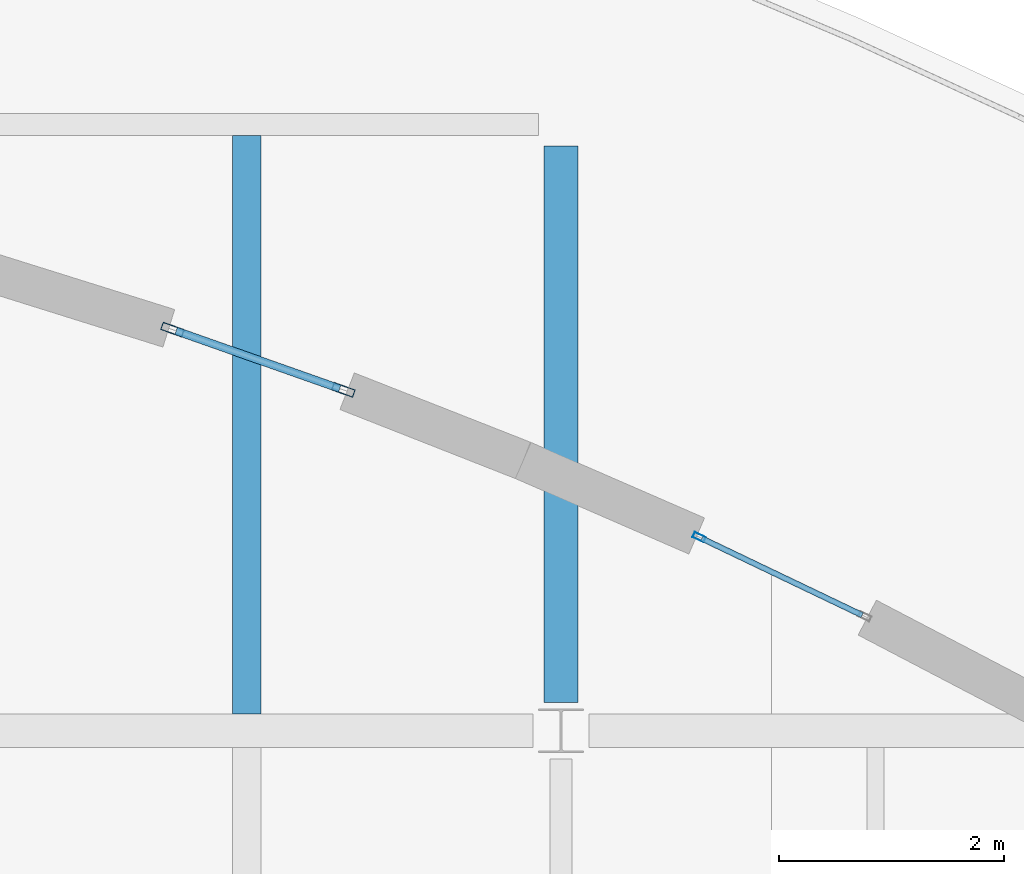
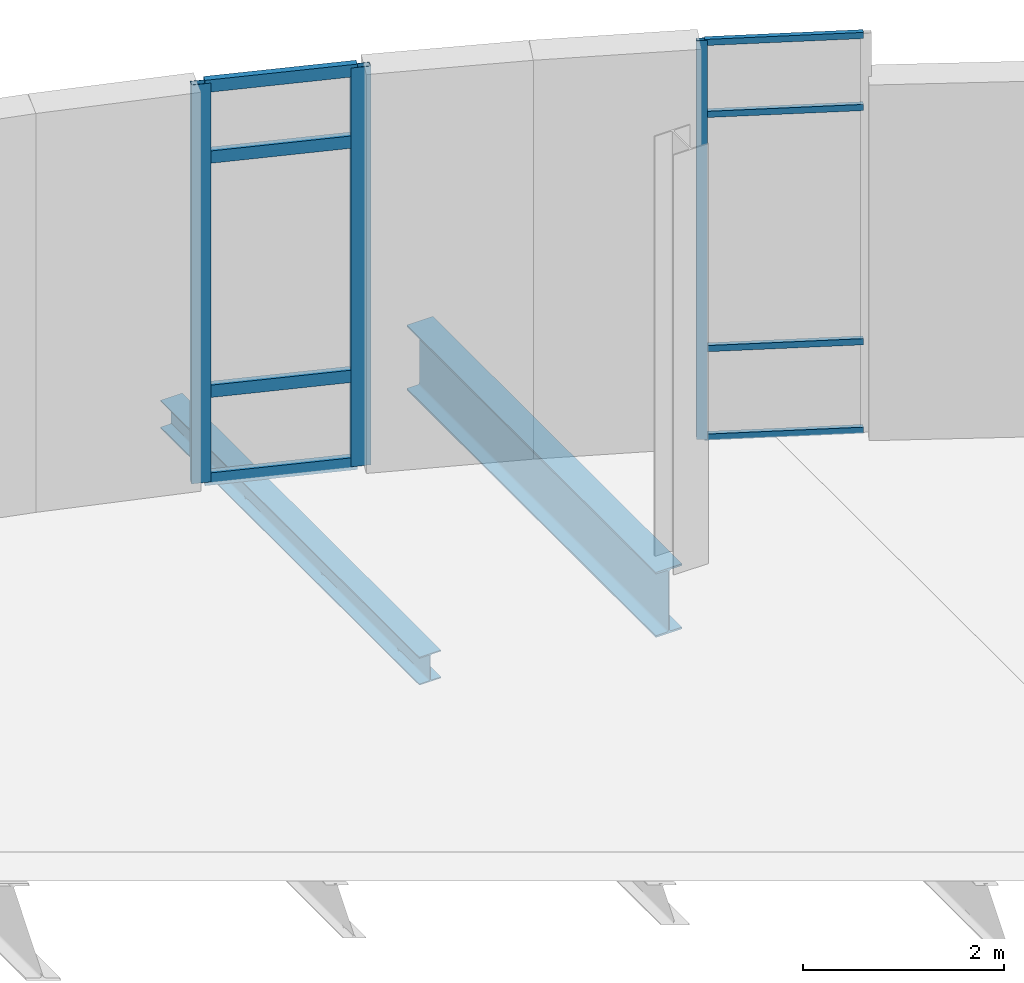
# One storey, part 34 of 103: 11 members, 2 beams, 2 elements without a shape of their own.
"""IFC4 building model written with IfcOpenShell, lengths in metres."""

from ifc_helpers import new_model, si_unit, direction, frame, origin, origin_2d, place, context, subcontext, project, spatial, hollow_rectangle, i_section, extrude, material, layer, layer_set, material_profile, profile_set, type_object, element, aggregate, save


model = new_model("IFC4")

# Units and contexts
model_context = context("Model", 3, precision=1e-05, world=origin(), true_north=direction((0.0, 1.0)))
body_context = subcontext(model_context, "Body", "Model", "MODEL_VIEW")
ifc_project = project(units=[si_unit("LENGTHUNIT", "METRE"), si_unit("AREAUNIT", "SQUARE_METRE"), si_unit("VOLUMEUNIT", "CUBIC_METRE"), si_unit("PLANEANGLEUNIT", "RADIAN"), si_unit("MASSUNIT", "GRAM", prefix="KILO"), si_unit("THERMODYNAMICTEMPERATUREUNIT", "KELVIN")], contexts=[model_context])

# Site, building, storey
site_placement = place(None, origin())
site = spatial("IfcSite", under=ifc_project, at=site_placement, CompositionType="ELEMENT")
building_placement = place(site_placement, origin())
building = spatial("IfcBuilding", under=site, at=building_placement, Name="Lustrewick Department Store", CompositionType="ELEMENT")
storey_placement = place(building_placement, frame((0.0, 0.0, 16.5)))
storey = spatial("IfcBuildingStorey", under=building, at=storey_placement, Name="L04", CompositionType="ELEMENT", Elevation=16.5)

# Beam
ifc_material_1 = material(Name="Structural steel Q355B", Category="steel")
ifc_material_profile_1 = material_profile(ifc_material_1, i_section(OverallWidth=0.25, OverallDepth=0.340087890625, WebThickness=0.009033203125, FlangeThickness=0.013916015625, FilletRadius=0.01611328125, at=origin_2d()), Name="HM 340x250x9x14")
ifc_profile_set_1 = profile_set([ifc_material_profile_1], Name="Structural steel Q355B")
beam_type_1 = type_object("IfcBeamType", Name="B08", PredefinedType="JOIST", material=ifc_profile_set_1)
beam_1_placement = place(storey_placement, frame((131.60009765625, 100.950927734375, -0.425048828125), z_axis=(0.0, 1.0, 0.0), x_axis=(-1.0, 0.0, 0.0)))
element("IfcBeam", 1, at=beam_1_placement, inside=storey, type_object=beam_type_1, Name="L04 V4 Secondary Joist B08", PredefinedType="JOIST", context=body_context, shape_type="SweptSolid", body=[
    extrude(i_section(OverallWidth=0.25, OverallDepth=0.340087890625, WebThickness=0.009033203125, FlangeThickness=0.013916015625, FilletRadius=0.01611328125, at=origin_2d()), origin(), (0.0, 0.0, 1.0), 5.149658203125),
])

# Curtain wall, members
ifc_material_2 = material(Name="Thermally broken aluminium 6063-T5", Category="aluminium")
ifc_layer_1 = layer(ifc_material_2, 0.110107421875, Name="Thermally broken aluminium 6063-T5")
ifc_layer_set_1 = layer_set([ifc_layer_1], Name="Thermally broken aluminium 6063-T5")
curtain_wall_type_1 = type_object("IfcCurtainWallType", Name="CW09", PredefinedType="NOTDEFINED", material=ifc_layer_set_1)
curtain_wall_1_placement = place(storey_placement, origin())
curtain_wall_1 = element("IfcCurtainWall", 2, at=curtain_wall_1_placement, inside=storey, type_object=curtain_wall_type_1, Name="L04 V4 Curtain Wall CW09", PredefinedType="NOTDEFINED")
ifc_material_profile_2 = material_profile(ifc_material_2, hollow_rectangle(XDim=0.050048828125, YDim=0.110107421875, WallThickness=0.0029296875, at=origin_2d()), Name="ALU-M 50x110x3")
ifc_profile_set_2 = profile_set([ifc_material_profile_2], Name="Thermally broken aluminium 6063-T5")
member_type_1 = type_object("IfcMemberType", Name="CW09-M1", PredefinedType="MULLION", material=ifc_profile_set_2)
member_1_placement = place(storey_placement, frame((135.630126953125, 102.52392578125, 0.0), z_axis=(0.0, 0.0, 1.0), x_axis=(-0.431596198189, -0.902066916425, 0.0)))
member_1 = element("IfcMember", 3, at=member_1_placement, type_object=member_type_1, Name="CW09 mullion 2", PredefinedType="MULLION", context=body_context, shape_type="SweptSolid", body=[
    extrude(hollow_rectangle(XDim=0.050048828125, YDim=0.110107421875, WallThickness=0.0029296875, at=origin_2d()), origin(), (0.0, 0.0, 1.0), 4.844970703125),
])
ifc_material_profile_3 = material_profile(ifc_material_2, hollow_rectangle(XDim=0.050048828125, YDim=0.074951171875, WallThickness=0.0029296875, at=origin_2d()), Name="ALU-T 50x75x3")
ifc_profile_set_3 = profile_set([ifc_material_profile_3], Name="Thermally broken aluminium 6063-T5")
member_type_2 = type_object("IfcMemberType", Name="CW09-T1", PredefinedType="USERDEFINED", material=ifc_profile_set_3)
member_2_placement = place(storey_placement, frame((137.082275390625, 101.8291015625, 0.02490234375), z_axis=(-0.902115971845, 0.431493653883, 0.0), x_axis=(-0.431493653883, -0.902115971845, 0.0)))
member_2 = element("IfcMember", 4, at=member_2_placement, type_object=member_type_2, Name="CW09 transom 1.1", ObjectType="TRANSOM", PredefinedType="USERDEFINED", context=body_context, shape_type="SweptSolid", body=[
    extrude(hollow_rectangle(XDim=0.050048828125, YDim=0.074951171875, WallThickness=0.0029296875, at=origin_2d()), origin(), (0.0, 0.0, 1.0), 1.584716796875),
])
member_3_placement = place(storey_placement, frame((137.082275390625, 101.8291015625, 1.10009765625), z_axis=(-0.902115971845, 0.431493653883, 0.0), x_axis=(-0.431493653883, -0.902115971845, 0.0)))
member_3 = element("IfcMember", 5, at=member_3_placement, type_object=member_type_2, Name="CW09 transom 1.2", ObjectType="TRANSOM", PredefinedType="USERDEFINED", context=body_context, shape_type="SweptSolid", body=[
    extrude(hollow_rectangle(XDim=0.050048828125, YDim=0.074951171875, WallThickness=0.0029296875, at=origin_2d()), origin(), (0.0, 0.0, 1.0), 1.584716796875),
])
member_4_placement = place(storey_placement, frame((137.082275390625, 101.8291015625, 3.945068359375), z_axis=(-0.902115971845, 0.431493653883, 0.0), x_axis=(-0.431493653883, -0.902115971845, 0.0)))
member_4 = element("IfcMember", 6, at=member_4_placement, type_object=member_type_2, Name="CW09 transom 1.3", ObjectType="TRANSOM", PredefinedType="USERDEFINED", context=body_context, shape_type="SweptSolid", body=[
    extrude(hollow_rectangle(XDim=0.050048828125, YDim=0.074951171875, WallThickness=0.0029296875, at=origin_2d()), origin(), (0.0, 0.0, 1.0), 1.584716796875),
])
member_5_placement = place(storey_placement, frame((137.082275390625, 101.8291015625, 4.820068359375), z_axis=(-0.902115971845, 0.431493653883, 0.0), x_axis=(-0.431493653883, -0.902115971845, 0.0)))
member_5 = element("IfcMember", 7, at=member_5_placement, type_object=member_type_2, Name="CW09 transom 1.4", ObjectType="TRANSOM", PredefinedType="USERDEFINED", context=body_context, shape_type="SweptSolid", body=[
    extrude(hollow_rectangle(XDim=0.050048828125, YDim=0.074951171875, WallThickness=0.0029296875, at=origin_2d()), origin(), (0.0, 0.0, 1.0), 1.584716796875),
])
aggregate(curtain_wall_1, [member_1, member_2, member_3, member_4, member_5])

ifc_layer_2 = layer(ifc_material_2, 0.199951171875, Name="Thermally broken aluminium 6063-T5")
ifc_layer_set_2 = layer_set([ifc_layer_2], Name="Thermally broken aluminium 6063-T5")
curtain_wall_type_2 = type_object("IfcCurtainWallType", Name="CW10", PredefinedType="NOTDEFINED", material=ifc_layer_set_2)
curtain_wall_2_placement = place(storey_placement, origin())
curtain_wall_2 = element("IfcCurtainWall", 8, at=curtain_wall_2_placement, inside=storey, type_object=curtain_wall_type_2, Name="L04 V4 Curtain Wall CW10", PredefinedType="NOTDEFINED")
ifc_material_profile_4 = material_profile(ifc_material_2, hollow_rectangle(XDim=0.070068359375, YDim=0.199951171875, WallThickness=0.00390625, at=origin_2d()), Name="ALU-M 70x200x4")
ifc_profile_set_4 = profile_set([ifc_material_profile_4], Name="Thermally broken aluminium 6063-T5")
member_type_3 = type_object("IfcMemberType", Name="CW10-M1", PredefinedType="MULLION", material=ifc_profile_set_4)
member_6_placement = place(storey_placement, frame((132.461669921875, 103.835693359375, 0.0), z_axis=(0.0, 0.0, 1.0), x_axis=(-0.332702150544, -0.943031960765, 0.0)))
member_6 = element("IfcMember", 9, at=member_6_placement, type_object=member_type_3, Name="CW10 mullion 1", PredefinedType="MULLION", context=body_context, shape_type="SweptSolid", body=[
    extrude(hollow_rectangle(XDim=0.070068359375, YDim=0.199951171875, WallThickness=0.00390625, at=origin_2d()), origin(), (0.0, 0.0, 1.0), 4.844970703125),
])
member_7_placement = place(storey_placement, frame((130.938720703125, 104.373046875, 0.0), z_axis=(0.0, 0.0, 1.0), x_axis=(-0.332702150544, -0.943031960765, 0.0)))
member_7 = element("IfcMember", 10, at=member_7_placement, type_object=member_type_3, Name="CW10 mullion 2", PredefinedType="MULLION", context=body_context, shape_type="SweptSolid", body=[
    extrude(hollow_rectangle(XDim=0.070068359375, YDim=0.199951171875, WallThickness=0.00390625, at=origin_2d()), origin(), (0.0, 0.0, 1.0), 4.844970703125),
])
ifc_material_profile_5 = material_profile(ifc_material_2, hollow_rectangle(XDim=0.070068359375, YDim=0.14990234375, WallThickness=0.00390625, at=origin_2d()), Name="ALU-T 70x150x4")
ifc_profile_set_5 = profile_set([ifc_material_profile_5], Name="Thermally broken aluminium 6063-T5")
member_type_4 = type_object("IfcMemberType", Name="CW10-T1", PredefinedType="USERDEFINED", material=ifc_profile_set_5)
member_8_placement = place(storey_placement, frame((132.4287109375, 103.84716796875, 0.034912109375), z_axis=(-0.943007835002, 0.332770526226, 0.0), x_axis=(-0.332770526226, -0.943007835002, 0.0)))
member_8 = element("IfcMember", 11, at=member_8_placement, type_object=member_type_4, Name="CW10 transom 1.1", ObjectType="TRANSOM", PredefinedType="USERDEFINED", context=body_context, shape_type="SweptSolid", body=[
    extrude(hollow_rectangle(XDim=0.070068359375, YDim=0.14990234375, WallThickness=0.00390625, at=origin_2d()), origin(), (0.0, 0.0, 1.0), 1.545166015625),
])
member_9_placement = place(storey_placement, frame((132.4287109375, 103.84716796875, 1.10009765625), z_axis=(-0.943007835002, 0.332770526226, 0.0), x_axis=(-0.332770526226, -0.943007835002, 0.0)))
member_9 = element("IfcMember", 12, at=member_9_placement, type_object=member_type_4, Name="CW10 transom 1.2", ObjectType="TRANSOM", PredefinedType="USERDEFINED", context=body_context, shape_type="SweptSolid", body=[
    extrude(hollow_rectangle(XDim=0.070068359375, YDim=0.14990234375, WallThickness=0.00390625, at=origin_2d()), origin(), (0.0, 0.0, 1.0), 1.545166015625),
])
member_10_placement = place(storey_placement, frame((132.4287109375, 103.84716796875, 3.945068359375), z_axis=(-0.943007835002, 0.332770526226, 0.0), x_axis=(-0.332770526226, -0.943007835002, 0.0)))
member_10 = element("IfcMember", 13, at=member_10_placement, type_object=member_type_4, Name="CW10 transom 1.3", ObjectType="TRANSOM", PredefinedType="USERDEFINED", context=body_context, shape_type="SweptSolid", body=[
    extrude(hollow_rectangle(XDim=0.070068359375, YDim=0.14990234375, WallThickness=0.00390625, at=origin_2d()), origin(), (0.0, 0.0, 1.0), 1.545166015625),
])
member_11_placement = place(storey_placement, frame((132.4287109375, 103.84716796875, 4.81005859375), z_axis=(-0.943007835002, 0.332770526226, 0.0), x_axis=(-0.332770526226, -0.943007835002, 0.0)))
member_11 = element("IfcMember", 14, at=member_11_placement, type_object=member_type_4, Name="CW10 transom 1.4", ObjectType="TRANSOM", PredefinedType="USERDEFINED", context=body_context, shape_type="SweptSolid", body=[
    extrude(hollow_rectangle(XDim=0.070068359375, YDim=0.14990234375, WallThickness=0.00390625, at=origin_2d()), origin(), (0.0, 0.0, 1.0), 1.545166015625),
])
aggregate(curtain_wall_2, [member_6, member_7, member_8, member_9, member_10, member_11])

# Beam
ifc_material_profile_6 = material_profile(ifc_material_1, i_section(OverallWidth=0.300048828125, OverallDepth=0.7919921875, WebThickness=0.013916015625, FlangeThickness=0.02197265625, FilletRadius=0.02197265625, at=origin_2d()), Name="HN 792x300x14x22")
ifc_profile_set_6 = profile_set([ifc_material_profile_6], Name="Structural steel Q355B")
beam_type_2 = type_object("IfcBeamType", Name="G06", PredefinedType="BEAM", material=ifc_profile_set_6)
beam_2_placement = place(storey_placement, frame((134.39990234375, 101.050048828125, -0.65087890625), z_axis=(0.0, 1.0, 0.0), x_axis=(-1.0, 0.0, 0.0)))
element("IfcBeam", 15, at=beam_2_placement, inside=storey, type_object=beam_type_2, Name="L04 V4 Girder G06", PredefinedType="BEAM", context=body_context, shape_type="SweptSolid", body=[
    extrude(i_section(OverallWidth=0.300048828125, OverallDepth=0.7919921875, WebThickness=0.013916015625, FlangeThickness=0.02197265625, FilletRadius=0.02197265625, at=origin_2d()), origin(), (0.0, 0.0, 1.0), 4.9560546875),
])

save(model, "model.ifc")
